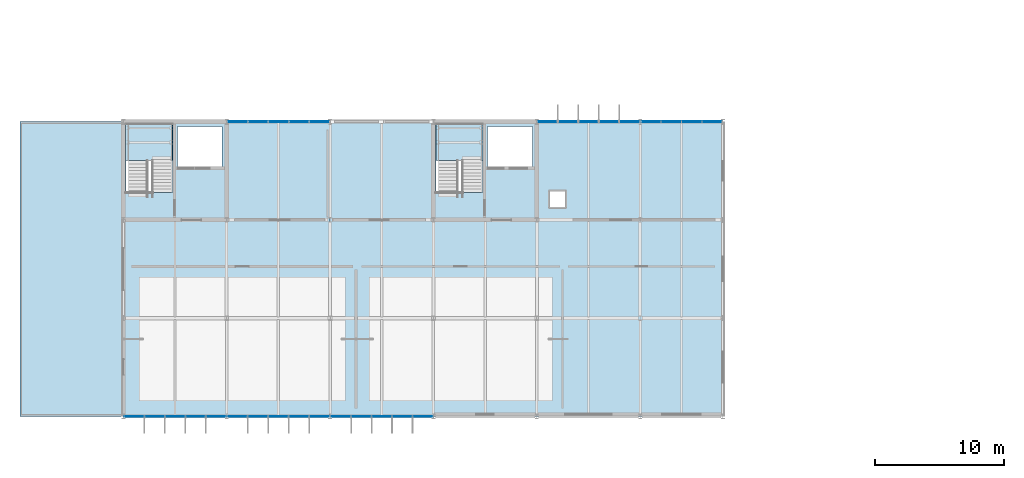
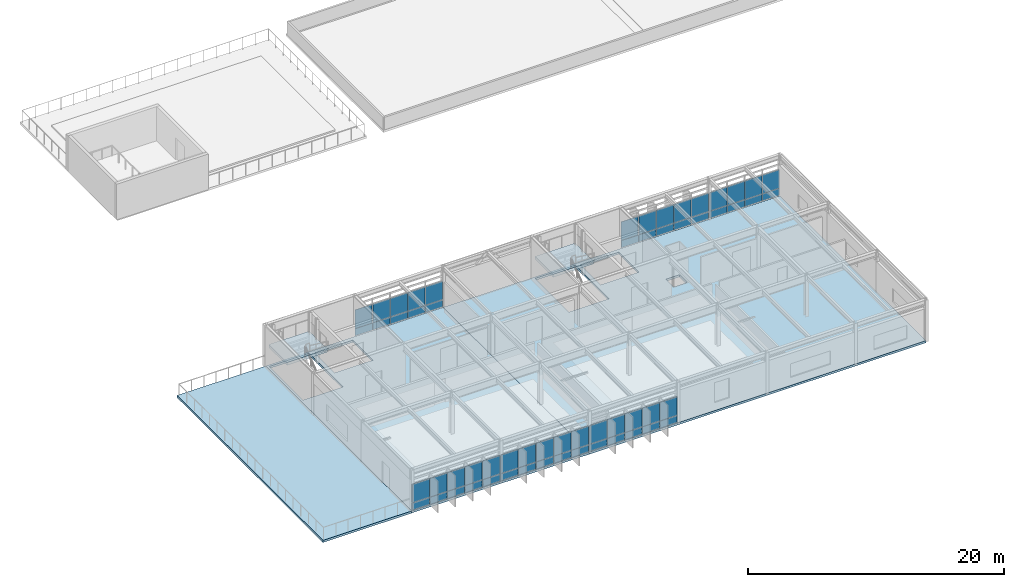
# One storey, part 13 of 21: 58 plates, 5 slabs, 8 elements without a shape of their own.
"""IFC4 building model written with IfcOpenShell, lengths in metres."""

from ifc_helpers import new_model, si_unit, direction, frame, origin, origin_2d, place, context, subcontext, project, spatial, polyline, rectangle, outline, extrude, material, layer, layer_set, type_object, element, aggregate, save


model = new_model("IFC4")

# Units and contexts
model_context = context("Model", 3, precision=1e-05, world=origin(), true_north=direction((0.0, 1.0)))
body_context = subcontext(model_context, "Body", "Model", "MODEL_VIEW")
ifc_project = project(units=[si_unit("LENGTHUNIT", "METRE"), si_unit("AREAUNIT", "SQUARE_METRE"), si_unit("VOLUMEUNIT", "CUBIC_METRE"), si_unit("PLANEANGLEUNIT", "RADIAN"), si_unit("MASSUNIT", "GRAM", prefix="KILO")], contexts=[model_context])

# Site, building, storey
site_placement = place(None, origin())
site = spatial("IfcSite", under=ifc_project, at=site_placement, CompositionType="ELEMENT")
building_placement = place(site_placement, origin())
building = spatial("IfcBuilding", under=site, at=building_placement, Name="Zulena Civic Courthouse", CompositionType="ELEMENT")
storey_placement = place(building_placement, frame((0.0, 0.0, 37.800048828125)))
storey = spatial("IfcBuildingStorey", under=building, at=storey_placement, Name="L08", CompositionType="ELEMENT", Elevation=37.800048828125)

# Curtain wall, plates
ifc_material_1 = material(Name="Double-silver low-E laminated solar-control glass", Category="glass")
curtain_wall_type_1 = type_object("IfcCurtainWallType", Name="CW_7928x3090", PredefinedType="USERDEFINED", material=ifc_material_1)
curtain_wall_1_placement = place(storey_placement, origin())
curtain_wall_1 = element("IfcCurtainWall", 1, at=curtain_wall_1_placement, inside=storey, type_object=curtain_wall_type_1, Name="cw:V2:L08:1:1", ObjectType="UNITISED CURTAIN WALL", PredefinedType="USERDEFINED")
ifc_material_2 = material(Name="Ceramic-fritted insulated spandrel glass", Category="glass")
ifc_layer_1 = layer(ifc_material_2, 0.0458984375)
ifc_layer_set_1 = layer_set([ifc_layer_1], Name="Ceramic-fritted insulated spandrel glass")
plate_type_1 = type_object("IfcPlateType", Name="CWPanel_Spandrel_46", PredefinedType="CURTAIN_PANEL", material=ifc_layer_set_1)
plate_1_placement = place(storey_placement, frame((28.828857421875, 22.800048828125, 0.070068359375), z_axis=(0.0, 0.0, 1.0), x_axis=(1.0, 0.0, 0.0)))
plate_1 = element("IfcPlate", 2, at=plate_1_placement, type_object=plate_type_1, Name="cw:V2:L08:1:1:panS:0", PredefinedType="CURTAIN_PANEL", context=body_context, shape_type="SweptSolid", body=[
    extrude(rectangle(XDim=1.535888671875, YDim=0.0458984375, at=origin_2d()), origin(), (0.0, 0.0, 1.0), 0.669921875),
])
plate_2_placement = place(storey_placement, frame((30.414306640625, 22.800048828125, 0.070068359375), z_axis=(0.0, 0.0, 1.0), x_axis=(1.0, 0.0, 0.0)))
plate_2 = element("IfcPlate", 3, at=plate_2_placement, type_object=plate_type_1, Name="cw:V2:L08:1:1:panS:1", PredefinedType="CURTAIN_PANEL", context=body_context, shape_type="SweptSolid", body=[
    extrude(rectangle(XDim=1.535888671875, YDim=0.0458984375, at=origin_2d()), origin(), (0.0, 0.0, 1.0), 0.669921875),
])
plate_3_placement = place(storey_placement, frame((32.0, 22.800048828125, 0.070068359375), z_axis=(0.0, 0.0, 1.0), x_axis=(1.0, 0.0, 0.0)))
plate_3 = element("IfcPlate", 4, at=plate_3_placement, type_object=plate_type_1, Name="cw:V2:L08:1:1:panS:2", PredefinedType="CURTAIN_PANEL", context=body_context, shape_type="SweptSolid", body=[
    extrude(rectangle(XDim=1.535888671875, YDim=0.0458984375, at=origin_2d()), origin(), (0.0, 0.0, 1.0), 0.669921875),
])
plate_4_placement = place(storey_placement, frame((33.585693359375, 22.800048828125, 0.070068359375), z_axis=(0.0, 0.0, 1.0), x_axis=(1.0, 0.0, 0.0)))
plate_4 = element("IfcPlate", 5, at=plate_4_placement, type_object=plate_type_1, Name="cw:V2:L08:1:1:panS:3", PredefinedType="CURTAIN_PANEL", context=body_context, shape_type="SweptSolid", body=[
    extrude(rectangle(XDim=1.535888671875, YDim=0.0458984375, at=origin_2d()), origin(), (0.0, 0.0, 1.0), 0.669921875),
])
plate_5_placement = place(storey_placement, frame((35.171142578125, 22.800048828125, 0.070068359375), z_axis=(0.0, 0.0, 1.0), x_axis=(1.0, 0.0, 0.0)))
plate_5 = element("IfcPlate", 6, at=plate_5_placement, type_object=plate_type_1, Name="cw:V2:L08:1:1:panS:4", PredefinedType="CURTAIN_PANEL", context=body_context, shape_type="SweptSolid", body=[
    extrude(rectangle(XDim=1.535888671875, YDim=0.0458984375, at=origin_2d()), origin(), (0.0, 0.0, 1.0), 0.669921875),
])

curtain_wall_2_placement = place(storey_placement, origin())
curtain_wall_2 = element("IfcCurtainWall", 7, at=curtain_wall_2_placement, inside=storey, type_object=curtain_wall_type_1, Name="cw:V2:L08:1:4", ObjectType="UNITISED CURTAIN WALL", PredefinedType="USERDEFINED")
plate_6_placement = place(storey_placement, frame((52.828857421875, 22.800048828125, 0.070068359375), z_axis=(0.0, 0.0, 1.0), x_axis=(1.0, 0.0, 0.0)))
plate_6 = element("IfcPlate", 8, at=plate_6_placement, type_object=plate_type_1, Name="cw:V2:L08:1:4:panS:0", PredefinedType="CURTAIN_PANEL", context=body_context, shape_type="SweptSolid", body=[
    extrude(rectangle(XDim=1.535888671875, YDim=0.0458984375, at=origin_2d()), origin(), (0.0, 0.0, 1.0), 0.669921875),
])
plate_7_placement = place(storey_placement, frame((54.414306640625, 22.800048828125, 0.070068359375), z_axis=(0.0, 0.0, 1.0), x_axis=(1.0, 0.0, 0.0)))
plate_7 = element("IfcPlate", 9, at=plate_7_placement, type_object=plate_type_1, Name="cw:V2:L08:1:4:panS:1", PredefinedType="CURTAIN_PANEL", context=body_context, shape_type="SweptSolid", body=[
    extrude(rectangle(XDim=1.535888671875, YDim=0.0458984375, at=origin_2d()), origin(), (0.0, 0.0, 1.0), 0.669921875),
])
plate_8_placement = place(storey_placement, frame((56.0, 22.800048828125, 0.070068359375), z_axis=(0.0, 0.0, 1.0), x_axis=(1.0, 0.0, 0.0)))
plate_8 = element("IfcPlate", 10, at=plate_8_placement, type_object=plate_type_1, Name="cw:V2:L08:1:4:panS:2", PredefinedType="CURTAIN_PANEL", context=body_context, shape_type="SweptSolid", body=[
    extrude(rectangle(XDim=1.535888671875, YDim=0.0458984375, at=origin_2d()), origin(), (0.0, 0.0, 1.0), 0.669921875),
])
plate_9_placement = place(storey_placement, frame((57.585693359375, 22.800048828125, 0.070068359375), z_axis=(0.0, 0.0, 1.0), x_axis=(1.0, 0.0, 0.0)))
plate_9 = element("IfcPlate", 11, at=plate_9_placement, type_object=plate_type_1, Name="cw:V2:L08:1:4:panS:3", PredefinedType="CURTAIN_PANEL", context=body_context, shape_type="SweptSolid", body=[
    extrude(rectangle(XDim=1.535888671875, YDim=0.0458984375, at=origin_2d()), origin(), (0.0, 0.0, 1.0), 0.669921875),
])
plate_10_placement = place(storey_placement, frame((59.171142578125, 22.800048828125, 0.070068359375), z_axis=(0.0, 0.0, 1.0), x_axis=(1.0, 0.0, 0.0)))
plate_10 = element("IfcPlate", 12, at=plate_10_placement, type_object=plate_type_1, Name="cw:V2:L08:1:4:panS:4", PredefinedType="CURTAIN_PANEL", context=body_context, shape_type="SweptSolid", body=[
    extrude(rectangle(XDim=1.535888671875, YDim=0.0458984375, at=origin_2d()), origin(), (0.0, 0.0, 1.0), 0.669921875),
])

curtain_wall_type_2 = type_object("IfcCurtainWallType", Name="CW_6328x3090", PredefinedType="USERDEFINED", material=ifc_material_1)
curtain_wall_3_placement = place(storey_placement, origin())
curtain_wall_3 = element("IfcCurtainWall", 13, at=curtain_wall_3_placement, inside=storey, type_object=curtain_wall_type_2, Name="cw:V2:L08:1:5", ObjectType="UNITISED CURTAIN WALL", PredefinedType="USERDEFINED")
plate_11_placement = place(storey_placement, frame((60.826904296875, 22.800048828125, 0.070068359375), z_axis=(0.0, 0.0, 1.0), x_axis=(1.0, 0.0, 0.0)))
plate_11 = element("IfcPlate", 14, at=plate_11_placement, type_object=plate_type_1, Name="cw:V2:L08:1:5:panS:0", PredefinedType="CURTAIN_PANEL", context=body_context, shape_type="SweptSolid", body=[
    extrude(rectangle(XDim=1.531982421875, YDim=0.0458984375, at=origin_2d()), origin(), (0.0, 0.0, 1.0), 0.669921875),
])
plate_12_placement = place(storey_placement, frame((62.408935546875, 22.800048828125, 0.070068359375), z_axis=(0.0, 0.0, 1.0), x_axis=(1.0, 0.0, 0.0)))
plate_12 = element("IfcPlate", 15, at=plate_12_placement, type_object=plate_type_1, Name="cw:V2:L08:1:5:panS:1", PredefinedType="CURTAIN_PANEL", context=body_context, shape_type="SweptSolid", body=[
    extrude(rectangle(XDim=1.531982421875, YDim=0.0458984375, at=origin_2d()), origin(), (0.0, 0.0, 1.0), 0.669921875),
])
plate_13_placement = place(storey_placement, frame((63.990966796875, 22.800048828125, 0.070068359375), z_axis=(0.0, 0.0, 1.0), x_axis=(1.0, 0.0, 0.0)))
plate_13 = element("IfcPlate", 16, at=plate_13_placement, type_object=plate_type_1, Name="cw:V2:L08:1:5:panS:2", PredefinedType="CURTAIN_PANEL", context=body_context, shape_type="SweptSolid", body=[
    extrude(rectangle(XDim=1.531982421875, YDim=0.0458984375, at=origin_2d()), origin(), (0.0, 0.0, 1.0), 0.669921875),
])
plate_14_placement = place(storey_placement, frame((65.572998046875, 22.800048828125, 0.070068359375), z_axis=(0.0, 0.0, 1.0), x_axis=(1.0, 0.0, 0.0)))
plate_14 = element("IfcPlate", 17, at=plate_14_placement, type_object=plate_type_1, Name="cw:V2:L08:1:5:panS:3", PredefinedType="CURTAIN_PANEL", context=body_context, shape_type="SweptSolid", body=[
    extrude(rectangle(XDim=1.531982421875, YDim=0.0458984375, at=origin_2d()), origin(), (0.0, 0.0, 1.0), 0.669921875),
])

curtain_wall_4_placement = place(storey_placement, origin())
curtain_wall_4 = element("IfcCurtainWall", 18, at=curtain_wall_4_placement, inside=storey, type_object=curtain_wall_type_1, Name="cw:V2:L08:3:3", ObjectType="UNITISED CURTAIN WALL", PredefinedType="USERDEFINED")
plate_15_placement = place(storey_placement, frame((43.171142578125, 0.0, 0.070068359375), z_axis=(0.0, 0.0, 1.0), x_axis=(-1.0, 0.0, 0.0)))
plate_15 = element("IfcPlate", 19, at=plate_15_placement, type_object=plate_type_1, Name="cw:V2:L08:3:3:panS:0", PredefinedType="CURTAIN_PANEL", context=body_context, shape_type="SweptSolid", body=[
    extrude(rectangle(XDim=1.535888671875, YDim=0.0458984375, at=origin_2d()), origin(), (0.0, 0.0, 1.0), 0.669921875),
])
plate_16_placement = place(storey_placement, frame((41.585693359375, 0.0, 0.070068359375), z_axis=(0.0, 0.0, 1.0), x_axis=(-1.0, 0.0, 0.0)))
plate_16 = element("IfcPlate", 20, at=plate_16_placement, type_object=plate_type_1, Name="cw:V2:L08:3:3:panS:1", PredefinedType="CURTAIN_PANEL", context=body_context, shape_type="SweptSolid", body=[
    extrude(rectangle(XDim=1.535888671875, YDim=0.0458984375, at=origin_2d()), origin(), (0.0, 0.0, 1.0), 0.669921875),
])
plate_17_placement = place(storey_placement, frame((40.0, 0.0, 0.070068359375), z_axis=(0.0, 0.0, 1.0), x_axis=(-1.0, 0.0, 0.0)))
plate_17 = element("IfcPlate", 21, at=plate_17_placement, type_object=plate_type_1, Name="cw:V2:L08:3:3:panS:2", PredefinedType="CURTAIN_PANEL", context=body_context, shape_type="SweptSolid", body=[
    extrude(rectangle(XDim=1.535888671875, YDim=0.0458984375, at=origin_2d()), origin(), (0.0, 0.0, 1.0), 0.669921875),
])
plate_18_placement = place(storey_placement, frame((38.414306640625, 0.0, 0.070068359375), z_axis=(0.0, 0.0, 1.0), x_axis=(-1.0, 0.0, 0.0)))
plate_18 = element("IfcPlate", 22, at=plate_18_placement, type_object=plate_type_1, Name="cw:V2:L08:3:3:panS:3", PredefinedType="CURTAIN_PANEL", context=body_context, shape_type="SweptSolid", body=[
    extrude(rectangle(XDim=1.535888671875, YDim=0.0458984375, at=origin_2d()), origin(), (0.0, 0.0, 1.0), 0.669921875),
])
plate_19_placement = place(storey_placement, frame((36.828857421875, 0.0, 0.070068359375), z_axis=(0.0, 0.0, 1.0), x_axis=(-1.0, 0.0, 0.0)))
plate_19 = element("IfcPlate", 23, at=plate_19_placement, type_object=plate_type_1, Name="cw:V2:L08:3:3:panS:4", PredefinedType="CURTAIN_PANEL", context=body_context, shape_type="SweptSolid", body=[
    extrude(rectangle(XDim=1.535888671875, YDim=0.0458984375, at=origin_2d()), origin(), (0.0, 0.0, 1.0), 0.669921875),
])

curtain_wall_5_placement = place(storey_placement, origin())
curtain_wall_5 = element("IfcCurtainWall", 24, at=curtain_wall_5_placement, inside=storey, type_object=curtain_wall_type_1, Name="cw:V2:L08:3:4", ObjectType="UNITISED CURTAIN WALL", PredefinedType="USERDEFINED")
plate_20_placement = place(storey_placement, frame((35.171142578125, 0.0, 0.070068359375), z_axis=(0.0, 0.0, 1.0), x_axis=(-1.0, 0.0, 0.0)))
plate_20 = element("IfcPlate", 25, at=plate_20_placement, type_object=plate_type_1, Name="cw:V2:L08:3:4:panS:0", PredefinedType="CURTAIN_PANEL", context=body_context, shape_type="SweptSolid", body=[
    extrude(rectangle(XDim=1.535888671875, YDim=0.0458984375, at=origin_2d()), origin(), (0.0, 0.0, 1.0), 0.669921875),
])
plate_21_placement = place(storey_placement, frame((33.585693359375, 0.0, 0.070068359375), z_axis=(0.0, 0.0, 1.0), x_axis=(-1.0, 0.0, 0.0)))
plate_21 = element("IfcPlate", 26, at=plate_21_placement, type_object=plate_type_1, Name="cw:V2:L08:3:4:panS:1", PredefinedType="CURTAIN_PANEL", context=body_context, shape_type="SweptSolid", body=[
    extrude(rectangle(XDim=1.535888671875, YDim=0.0458984375, at=origin_2d()), origin(), (0.0, 0.0, 1.0), 0.669921875),
])
plate_22_placement = place(storey_placement, frame((32.0, 0.0, 0.070068359375), z_axis=(0.0, 0.0, 1.0), x_axis=(-1.0, 0.0, 0.0)))
plate_22 = element("IfcPlate", 27, at=plate_22_placement, type_object=plate_type_1, Name="cw:V2:L08:3:4:panS:2", PredefinedType="CURTAIN_PANEL", context=body_context, shape_type="SweptSolid", body=[
    extrude(rectangle(XDim=1.535888671875, YDim=0.0458984375, at=origin_2d()), origin(), (0.0, 0.0, 1.0), 0.669921875),
])
plate_23_placement = place(storey_placement, frame((30.414306640625, 0.0, 0.070068359375), z_axis=(0.0, 0.0, 1.0), x_axis=(-1.0, 0.0, 0.0)))
plate_23 = element("IfcPlate", 28, at=plate_23_placement, type_object=plate_type_1, Name="cw:V2:L08:3:4:panS:3", PredefinedType="CURTAIN_PANEL", context=body_context, shape_type="SweptSolid", body=[
    extrude(rectangle(XDim=1.535888671875, YDim=0.0458984375, at=origin_2d()), origin(), (0.0, 0.0, 1.0), 0.669921875),
])
plate_24_placement = place(storey_placement, frame((28.828857421875, 0.0, 0.070068359375), z_axis=(0.0, 0.0, 1.0), x_axis=(-1.0, 0.0, 0.0)))
plate_24 = element("IfcPlate", 29, at=plate_24_placement, type_object=plate_type_1, Name="cw:V2:L08:3:4:panS:4", PredefinedType="CURTAIN_PANEL", context=body_context, shape_type="SweptSolid", body=[
    extrude(rectangle(XDim=1.535888671875, YDim=0.0458984375, at=origin_2d()), origin(), (0.0, 0.0, 1.0), 0.669921875),
])

curtain_wall_6_placement = place(storey_placement, origin())
curtain_wall_6 = element("IfcCurtainWall", 30, at=curtain_wall_6_placement, inside=storey, type_object=curtain_wall_type_1, Name="cw:V2:L08:3:5", ObjectType="UNITISED CURTAIN WALL", PredefinedType="USERDEFINED")
plate_25_placement = place(storey_placement, frame((27.171142578125, 0.0, 0.070068359375), z_axis=(0.0, 0.0, 1.0), x_axis=(-1.0, 0.0, 0.0)))
plate_25 = element("IfcPlate", 31, at=plate_25_placement, type_object=plate_type_1, Name="cw:V2:L08:3:5:panS:0", PredefinedType="CURTAIN_PANEL", context=body_context, shape_type="SweptSolid", body=[
    extrude(rectangle(XDim=1.535888671875, YDim=0.0458984375, at=origin_2d()), origin(), (0.0, 0.0, 1.0), 0.669921875),
])
plate_26_placement = place(storey_placement, frame((25.585693359375, 0.0, 0.070068359375), z_axis=(0.0, 0.0, 1.0), x_axis=(-1.0, 0.0, 0.0)))
plate_26 = element("IfcPlate", 32, at=plate_26_placement, type_object=plate_type_1, Name="cw:V2:L08:3:5:panS:1", PredefinedType="CURTAIN_PANEL", context=body_context, shape_type="SweptSolid", body=[
    extrude(rectangle(XDim=1.535888671875, YDim=0.0458984375, at=origin_2d()), origin(), (0.0, 0.0, 1.0), 0.669921875),
])
plate_27_placement = place(storey_placement, frame((24.0, 0.0, 0.070068359375), z_axis=(0.0, 0.0, 1.0), x_axis=(-1.0, 0.0, 0.0)))
plate_27 = element("IfcPlate", 33, at=plate_27_placement, type_object=plate_type_1, Name="cw:V2:L08:3:5:panS:2", PredefinedType="CURTAIN_PANEL", context=body_context, shape_type="SweptSolid", body=[
    extrude(rectangle(XDim=1.535888671875, YDim=0.0458984375, at=origin_2d()), origin(), (0.0, 0.0, 1.0), 0.669921875),
])
plate_28_placement = place(storey_placement, frame((22.414306640625, 0.0, 0.070068359375), z_axis=(0.0, 0.0, 1.0), x_axis=(-1.0, 0.0, 0.0)))
plate_28 = element("IfcPlate", 34, at=plate_28_placement, type_object=plate_type_1, Name="cw:V2:L08:3:5:panS:3", PredefinedType="CURTAIN_PANEL", context=body_context, shape_type="SweptSolid", body=[
    extrude(rectangle(XDim=1.535888671875, YDim=0.0458984375, at=origin_2d()), origin(), (0.0, 0.0, 1.0), 0.669921875),
])
plate_29_placement = place(storey_placement, frame((20.828857421875, 0.0, 0.070068359375), z_axis=(0.0, 0.0, 1.0), x_axis=(-1.0, 0.0, 0.0)))
plate_29 = element("IfcPlate", 35, at=plate_29_placement, type_object=plate_type_1, Name="cw:V2:L08:3:5:panS:4", PredefinedType="CURTAIN_PANEL", context=body_context, shape_type="SweptSolid", body=[
    extrude(rectangle(XDim=1.535888671875, YDim=0.0458984375, at=origin_2d()), origin(), (0.0, 0.0, 1.0), 0.669921875),
])

# Plate
ifc_layer_2 = layer(ifc_material_1, 0.035888671875)
ifc_layer_set_2 = layer_set([ifc_layer_2], Name="Double-silver low-E laminated solar-control glass")
plate_type_2 = type_object("IfcPlateType", Name="CWPanel_Vision_36", PredefinedType="CURTAIN_PANEL", material=ifc_layer_set_2)
plate_30_placement = place(storey_placement, frame((28.828857421875, 22.800048828125, 0.760009765625), z_axis=(0.0, 0.0, 1.0), x_axis=(1.0, 0.0, 0.0)))
plate_30 = element("IfcPlate", 36, at=plate_30_placement, type_object=plate_type_2, Name="cw:V2:L08:1:1:panV:0", PredefinedType="CURTAIN_PANEL", context=body_context, shape_type="SweptSolid", body=[
    extrude(rectangle(XDim=1.535888671875, YDim=0.035888671875, at=origin_2d()), origin(), (0.0, 0.0, 1.0), 1.77001953125),
])

plate_31_placement = place(storey_placement, frame((30.414306640625, 22.800048828125, 0.760009765625), z_axis=(0.0, 0.0, 1.0), x_axis=(1.0, 0.0, 0.0)))
plate_31 = element("IfcPlate", 37, at=plate_31_placement, type_object=plate_type_2, Name="cw:V2:L08:1:1:panV:1", PredefinedType="CURTAIN_PANEL", context=body_context, shape_type="SweptSolid", body=[
    extrude(rectangle(XDim=1.535888671875, YDim=0.035888671875, at=origin_2d()), origin(), (0.0, 0.0, 1.0), 1.77001953125),
])

plate_32_placement = place(storey_placement, frame((32.0, 22.800048828125, 0.760009765625), z_axis=(0.0, 0.0, 1.0), x_axis=(1.0, 0.0, 0.0)))
plate_32 = element("IfcPlate", 38, at=plate_32_placement, type_object=plate_type_2, Name="cw:V2:L08:1:1:panV:2", PredefinedType="CURTAIN_PANEL", context=body_context, shape_type="SweptSolid", body=[
    extrude(rectangle(XDim=1.535888671875, YDim=0.035888671875, at=origin_2d()), origin(), (0.0, 0.0, 1.0), 1.77001953125),
])

plate_33_placement = place(storey_placement, frame((33.585693359375, 22.800048828125, 0.760009765625), z_axis=(0.0, 0.0, 1.0), x_axis=(1.0, 0.0, 0.0)))
plate_33 = element("IfcPlate", 39, at=plate_33_placement, type_object=plate_type_2, Name="cw:V2:L08:1:1:panV:3", PredefinedType="CURTAIN_PANEL", context=body_context, shape_type="SweptSolid", body=[
    extrude(rectangle(XDim=1.535888671875, YDim=0.035888671875, at=origin_2d()), origin(), (0.0, 0.0, 1.0), 1.77001953125),
])

plate_34_placement = place(storey_placement, frame((35.171142578125, 22.800048828125, 0.760009765625), z_axis=(0.0, 0.0, 1.0), x_axis=(1.0, 0.0, 0.0)))
plate_34 = element("IfcPlate", 40, at=plate_34_placement, type_object=plate_type_2, Name="cw:V2:L08:1:1:panV:4", PredefinedType="CURTAIN_PANEL", context=body_context, shape_type="SweptSolid", body=[
    extrude(rectangle(XDim=1.535888671875, YDim=0.035888671875, at=origin_2d()), origin(), (0.0, 0.0, 1.0), 1.77001953125),
])

aggregate(curtain_wall_1, [plate_30, plate_1, plate_31, plate_2, plate_32, plate_3, plate_33, plate_4, plate_34, plate_5])

plate_35_placement = place(storey_placement, frame((52.828857421875, 22.800048828125, 0.760009765625), z_axis=(0.0, 0.0, 1.0), x_axis=(1.0, 0.0, 0.0)))
plate_35 = element("IfcPlate", 41, at=plate_35_placement, type_object=plate_type_2, Name="cw:V2:L08:1:4:panV:0", PredefinedType="CURTAIN_PANEL", context=body_context, shape_type="SweptSolid", body=[
    extrude(rectangle(XDim=1.535888671875, YDim=0.035888671875, at=origin_2d()), origin(), (0.0, 0.0, 1.0), 1.77001953125),
])

plate_36_placement = place(storey_placement, frame((54.414306640625, 22.800048828125, 0.760009765625), z_axis=(0.0, 0.0, 1.0), x_axis=(1.0, 0.0, 0.0)))
plate_36 = element("IfcPlate", 42, at=plate_36_placement, type_object=plate_type_2, Name="cw:V2:L08:1:4:panV:1", PredefinedType="CURTAIN_PANEL", context=body_context, shape_type="SweptSolid", body=[
    extrude(rectangle(XDim=1.535888671875, YDim=0.035888671875, at=origin_2d()), origin(), (0.0, 0.0, 1.0), 1.77001953125),
])

plate_37_placement = place(storey_placement, frame((56.0, 22.800048828125, 0.760009765625), z_axis=(0.0, 0.0, 1.0), x_axis=(1.0, 0.0, 0.0)))
plate_37 = element("IfcPlate", 43, at=plate_37_placement, type_object=plate_type_2, Name="cw:V2:L08:1:4:panV:2", PredefinedType="CURTAIN_PANEL", context=body_context, shape_type="SweptSolid", body=[
    extrude(rectangle(XDim=1.535888671875, YDim=0.035888671875, at=origin_2d()), origin(), (0.0, 0.0, 1.0), 1.77001953125),
])

plate_38_placement = place(storey_placement, frame((57.585693359375, 22.800048828125, 0.760009765625), z_axis=(0.0, 0.0, 1.0), x_axis=(1.0, 0.0, 0.0)))
plate_38 = element("IfcPlate", 44, at=plate_38_placement, type_object=plate_type_2, Name="cw:V2:L08:1:4:panV:3", PredefinedType="CURTAIN_PANEL", context=body_context, shape_type="SweptSolid", body=[
    extrude(rectangle(XDim=1.535888671875, YDim=0.035888671875, at=origin_2d()), origin(), (0.0, 0.0, 1.0), 1.77001953125),
])

plate_39_placement = place(storey_placement, frame((59.171142578125, 22.800048828125, 0.760009765625), z_axis=(0.0, 0.0, 1.0), x_axis=(1.0, 0.0, 0.0)))
plate_39 = element("IfcPlate", 45, at=plate_39_placement, type_object=plate_type_2, Name="cw:V2:L08:1:4:panV:4", PredefinedType="CURTAIN_PANEL", context=body_context, shape_type="SweptSolid", body=[
    extrude(rectangle(XDim=1.535888671875, YDim=0.035888671875, at=origin_2d()), origin(), (0.0, 0.0, 1.0), 1.77001953125),
])

aggregate(curtain_wall_2, [plate_35, plate_6, plate_36, plate_7, plate_37, plate_8, plate_38, plate_9, plate_39, plate_10])

plate_40_placement = place(storey_placement, frame((60.826904296875, 22.800048828125, 0.760009765625), z_axis=(0.0, 0.0, 1.0), x_axis=(1.0, 0.0, 0.0)))
plate_40 = element("IfcPlate", 46, at=plate_40_placement, type_object=plate_type_2, Name="cw:V2:L08:1:5:panV:0", PredefinedType="CURTAIN_PANEL", context=body_context, shape_type="SweptSolid", body=[
    extrude(rectangle(XDim=1.531982421875, YDim=0.035888671875, at=origin_2d()), origin(), (0.0, 0.0, 1.0), 1.77001953125),
])

plate_41_placement = place(storey_placement, frame((62.408935546875, 22.800048828125, 0.760009765625), z_axis=(0.0, 0.0, 1.0), x_axis=(1.0, 0.0, 0.0)))
plate_41 = element("IfcPlate", 47, at=plate_41_placement, type_object=plate_type_2, Name="cw:V2:L08:1:5:panV:1", PredefinedType="CURTAIN_PANEL", context=body_context, shape_type="SweptSolid", body=[
    extrude(rectangle(XDim=1.531982421875, YDim=0.035888671875, at=origin_2d()), origin(), (0.0, 0.0, 1.0), 1.77001953125),
])

plate_42_placement = place(storey_placement, frame((63.990966796875, 22.800048828125, 0.760009765625), z_axis=(0.0, 0.0, 1.0), x_axis=(1.0, 0.0, 0.0)))
plate_42 = element("IfcPlate", 48, at=plate_42_placement, type_object=plate_type_2, Name="cw:V2:L08:1:5:panV:2", PredefinedType="CURTAIN_PANEL", context=body_context, shape_type="SweptSolid", body=[
    extrude(rectangle(XDim=1.531982421875, YDim=0.035888671875, at=origin_2d()), origin(), (0.0, 0.0, 1.0), 1.77001953125),
])

plate_43_placement = place(storey_placement, frame((65.572998046875, 22.800048828125, 0.760009765625), z_axis=(0.0, 0.0, 1.0), x_axis=(1.0, 0.0, 0.0)))
plate_43 = element("IfcPlate", 49, at=plate_43_placement, type_object=plate_type_2, Name="cw:V2:L08:1:5:panV:3", PredefinedType="CURTAIN_PANEL", context=body_context, shape_type="SweptSolid", body=[
    extrude(rectangle(XDim=1.531982421875, YDim=0.035888671875, at=origin_2d()), origin(), (0.0, 0.0, 1.0), 1.77001953125),
])

aggregate(curtain_wall_3, [plate_40, plate_11, plate_41, plate_12, plate_42, plate_13, plate_43, plate_14])

plate_44_placement = place(storey_placement, frame((43.171142578125, 0.0, 0.760009765625), z_axis=(0.0, 0.0, 1.0), x_axis=(-1.0, 0.0, 0.0)))
plate_44 = element("IfcPlate", 50, at=plate_44_placement, type_object=plate_type_2, Name="cw:V2:L08:3:3:panV:0", PredefinedType="CURTAIN_PANEL", context=body_context, shape_type="SweptSolid", body=[
    extrude(rectangle(XDim=1.535888671875, YDim=0.035888671875, at=origin_2d()), origin(), (0.0, 0.0, 1.0), 1.77001953125),
])

plate_45_placement = place(storey_placement, frame((41.585693359375, 0.0, 0.760009765625), z_axis=(0.0, 0.0, 1.0), x_axis=(-1.0, 0.0, 0.0)))
plate_45 = element("IfcPlate", 51, at=plate_45_placement, type_object=plate_type_2, Name="cw:V2:L08:3:3:panV:1", PredefinedType="CURTAIN_PANEL", context=body_context, shape_type="SweptSolid", body=[
    extrude(rectangle(XDim=1.535888671875, YDim=0.035888671875, at=origin_2d()), origin(), (0.0, 0.0, 1.0), 1.77001953125),
])

plate_46_placement = place(storey_placement, frame((40.0, 0.0, 0.760009765625), z_axis=(0.0, 0.0, 1.0), x_axis=(-1.0, 0.0, 0.0)))
plate_46 = element("IfcPlate", 52, at=plate_46_placement, type_object=plate_type_2, Name="cw:V2:L08:3:3:panV:2", PredefinedType="CURTAIN_PANEL", context=body_context, shape_type="SweptSolid", body=[
    extrude(rectangle(XDim=1.535888671875, YDim=0.035888671875, at=origin_2d()), origin(), (0.0, 0.0, 1.0), 1.77001953125),
])

plate_47_placement = place(storey_placement, frame((38.414306640625, 0.0, 0.760009765625), z_axis=(0.0, 0.0, 1.0), x_axis=(-1.0, 0.0, 0.0)))
plate_47 = element("IfcPlate", 53, at=plate_47_placement, type_object=plate_type_2, Name="cw:V2:L08:3:3:panV:3", PredefinedType="CURTAIN_PANEL", context=body_context, shape_type="SweptSolid", body=[
    extrude(rectangle(XDim=1.535888671875, YDim=0.035888671875, at=origin_2d()), origin(), (0.0, 0.0, 1.0), 1.77001953125),
])

plate_48_placement = place(storey_placement, frame((36.828857421875, 0.0, 0.760009765625), z_axis=(0.0, 0.0, 1.0), x_axis=(-1.0, 0.0, 0.0)))
plate_48 = element("IfcPlate", 54, at=plate_48_placement, type_object=plate_type_2, Name="cw:V2:L08:3:3:panV:4", PredefinedType="CURTAIN_PANEL", context=body_context, shape_type="SweptSolid", body=[
    extrude(rectangle(XDim=1.535888671875, YDim=0.035888671875, at=origin_2d()), origin(), (0.0, 0.0, 1.0), 1.77001953125),
])

aggregate(curtain_wall_4, [plate_44, plate_15, plate_45, plate_16, plate_46, plate_17, plate_47, plate_18, plate_48, plate_19])

plate_49_placement = place(storey_placement, frame((35.171142578125, 0.0, 0.760009765625), z_axis=(0.0, 0.0, 1.0), x_axis=(-1.0, 0.0, 0.0)))
plate_49 = element("IfcPlate", 55, at=plate_49_placement, type_object=plate_type_2, Name="cw:V2:L08:3:4:panV:0", PredefinedType="CURTAIN_PANEL", context=body_context, shape_type="SweptSolid", body=[
    extrude(rectangle(XDim=1.535888671875, YDim=0.035888671875, at=origin_2d()), origin(), (0.0, 0.0, 1.0), 1.77001953125),
])

plate_50_placement = place(storey_placement, frame((33.585693359375, 0.0, 0.760009765625), z_axis=(0.0, 0.0, 1.0), x_axis=(-1.0, 0.0, 0.0)))
plate_50 = element("IfcPlate", 56, at=plate_50_placement, type_object=plate_type_2, Name="cw:V2:L08:3:4:panV:1", PredefinedType="CURTAIN_PANEL", context=body_context, shape_type="SweptSolid", body=[
    extrude(rectangle(XDim=1.535888671875, YDim=0.035888671875, at=origin_2d()), origin(), (0.0, 0.0, 1.0), 1.77001953125),
])

plate_51_placement = place(storey_placement, frame((32.0, 0.0, 0.760009765625), z_axis=(0.0, 0.0, 1.0), x_axis=(-1.0, 0.0, 0.0)))
plate_51 = element("IfcPlate", 57, at=plate_51_placement, type_object=plate_type_2, Name="cw:V2:L08:3:4:panV:2", PredefinedType="CURTAIN_PANEL", context=body_context, shape_type="SweptSolid", body=[
    extrude(rectangle(XDim=1.535888671875, YDim=0.035888671875, at=origin_2d()), origin(), (0.0, 0.0, 1.0), 1.77001953125),
])

plate_52_placement = place(storey_placement, frame((30.414306640625, 0.0, 0.760009765625), z_axis=(0.0, 0.0, 1.0), x_axis=(-1.0, 0.0, 0.0)))
plate_52 = element("IfcPlate", 58, at=plate_52_placement, type_object=plate_type_2, Name="cw:V2:L08:3:4:panV:3", PredefinedType="CURTAIN_PANEL", context=body_context, shape_type="SweptSolid", body=[
    extrude(rectangle(XDim=1.535888671875, YDim=0.035888671875, at=origin_2d()), origin(), (0.0, 0.0, 1.0), 1.77001953125),
])

plate_53_placement = place(storey_placement, frame((28.828857421875, 0.0, 0.760009765625), z_axis=(0.0, 0.0, 1.0), x_axis=(-1.0, 0.0, 0.0)))
plate_53 = element("IfcPlate", 59, at=plate_53_placement, type_object=plate_type_2, Name="cw:V2:L08:3:4:panV:4", PredefinedType="CURTAIN_PANEL", context=body_context, shape_type="SweptSolid", body=[
    extrude(rectangle(XDim=1.535888671875, YDim=0.035888671875, at=origin_2d()), origin(), (0.0, 0.0, 1.0), 1.77001953125),
])

aggregate(curtain_wall_5, [plate_49, plate_20, plate_50, plate_21, plate_51, plate_22, plate_52, plate_23, plate_53, plate_24])

plate_54_placement = place(storey_placement, frame((27.171142578125, 0.0, 0.760009765625), z_axis=(0.0, 0.0, 1.0), x_axis=(-1.0, 0.0, 0.0)))
plate_54 = element("IfcPlate", 60, at=plate_54_placement, type_object=plate_type_2, Name="cw:V2:L08:3:5:panV:0", PredefinedType="CURTAIN_PANEL", context=body_context, shape_type="SweptSolid", body=[
    extrude(rectangle(XDim=1.535888671875, YDim=0.035888671875, at=origin_2d()), origin(), (0.0, 0.0, 1.0), 1.77001953125),
])

plate_55_placement = place(storey_placement, frame((25.585693359375, 0.0, 0.760009765625), z_axis=(0.0, 0.0, 1.0), x_axis=(-1.0, 0.0, 0.0)))
plate_55 = element("IfcPlate", 61, at=plate_55_placement, type_object=plate_type_2, Name="cw:V2:L08:3:5:panV:1", PredefinedType="CURTAIN_PANEL", context=body_context, shape_type="SweptSolid", body=[
    extrude(rectangle(XDim=1.535888671875, YDim=0.035888671875, at=origin_2d()), origin(), (0.0, 0.0, 1.0), 1.77001953125),
])

plate_56_placement = place(storey_placement, frame((24.0, 0.0, 0.760009765625), z_axis=(0.0, 0.0, 1.0), x_axis=(-1.0, 0.0, 0.0)))
plate_56 = element("IfcPlate", 62, at=plate_56_placement, type_object=plate_type_2, Name="cw:V2:L08:3:5:panV:2", PredefinedType="CURTAIN_PANEL", context=body_context, shape_type="SweptSolid", body=[
    extrude(rectangle(XDim=1.535888671875, YDim=0.035888671875, at=origin_2d()), origin(), (0.0, 0.0, 1.0), 1.77001953125),
])

plate_57_placement = place(storey_placement, frame((22.414306640625, 0.0, 0.760009765625), z_axis=(0.0, 0.0, 1.0), x_axis=(-1.0, 0.0, 0.0)))
plate_57 = element("IfcPlate", 63, at=plate_57_placement, type_object=plate_type_2, Name="cw:V2:L08:3:5:panV:3", PredefinedType="CURTAIN_PANEL", context=body_context, shape_type="SweptSolid", body=[
    extrude(rectangle(XDim=1.535888671875, YDim=0.035888671875, at=origin_2d()), origin(), (0.0, 0.0, 1.0), 1.77001953125),
])

plate_58_placement = place(storey_placement, frame((20.828857421875, 0.0, 0.760009765625), z_axis=(0.0, 0.0, 1.0), x_axis=(-1.0, 0.0, 0.0)))
plate_58 = element("IfcPlate", 64, at=plate_58_placement, type_object=plate_type_2, Name="cw:V2:L08:3:5:panV:4", PredefinedType="CURTAIN_PANEL", context=body_context, shape_type="SweptSolid", body=[
    extrude(rectangle(XDim=1.535888671875, YDim=0.035888671875, at=origin_2d()), origin(), (0.0, 0.0, 1.0), 1.77001953125),
])

aggregate(curtain_wall_6, [plate_54, plate_25, plate_55, plate_26, plate_56, plate_27, plate_57, plate_28, plate_58, plate_29])

# Slabs
ifc_material_3 = material(Name="Concrete C35/45", Category="concrete")
ifc_layer_3 = layer(ifc_material_3, 0.199951171875)
ifc_layer_set_3 = layer_set([ifc_layer_3], Name="Concrete C35/45")
slab_type_1 = type_object("IfcSlabType", Name="FloorSlab_200", PredefinedType="FLOOR", material=ifc_layer_set_3)
slab_1_placement = place(storey_placement, frame((0.0, 0.0, -0.199951171875)))
element("IfcSlab", 65, at=slab_1_placement, inside=storey, type_object=slab_type_1, Name="slab:V2:L08_1", PredefinedType="FLOOR", context=body_context, shape_type="SweptSolid", body=[
    extrude(outline(polyline([(36.0, 22.800048828125), (36.0, 0.0), (20.0, 0.0), (20.0, 22.800048828125), (36.0, 22.800048828125)]), holes=[polyline([(23.81005859375, 22.610107421875), (20.18994140625, 22.610107421875), (20.18994140625, 17.320068359375), (23.81005859375, 17.320068359375), (23.81005859375, 22.610107421875)]), polyline([(27.64990234375, 19.300048828125), (27.64990234375, 22.449951171875), (24.199951171875, 22.449951171875), (24.199951171875, 19.300048828125), (27.64990234375, 19.300048828125)])]), origin(), (0.0, 0.0, 1.0), 0.199951171875),
])
slab_2_placement = place(storey_placement, frame((0.0, 0.0, -0.199951171875)))
element("IfcSlab", 66, at=slab_2_placement, inside=storey, type_object=slab_type_1, Name="slab:V2:L08_2", PredefinedType="FLOOR", context=body_context, shape_type="SweptSolid", body=[
    extrude(outline(polyline([(66.39990234375, 22.800048828125), (66.39990234375, 0.0), (36.0, 0.0), (36.0, 22.800048828125), (66.39990234375, 22.800048828125)]), holes=[polyline([(44.18994140625, 17.320068359375), (47.81005859375, 17.320068359375), (47.81005859375, 22.610107421875), (44.18994140625, 22.610107421875), (44.18994140625, 17.320068359375)]), polyline([(48.199951171875, 22.449951171875), (48.199951171875, 19.300048828125), (51.64990234375, 19.300048828125), (51.64990234375, 22.449951171875), (48.199951171875, 22.449951171875)]), polyline([(54.199951171875, 17.39990234375), (53.0, 17.39990234375), (53.0, 16.199951171875), (54.199951171875, 16.199951171875), (54.199951171875, 17.39990234375)])]), origin(), (0.0, 0.0, 1.0), 0.199951171875),
])

# Stair, slab
ifc_material_4 = material(Name="Precast concrete C40/50", Category="concrete")
stair_type = type_object("IfcStairType", Name="HalfTurnStair_4200", PredefinedType="HALF_TURN_STAIR", material=ifc_material_4)
stair_1_placement = place(storey_placement, origin())
stair_1 = element("IfcStair", 67, at=stair_1_placement, inside=storey, type_object=stair_type, Name="stair:K2A:L08", PredefinedType="HALF_TURN_STAIR")
ifc_layer_4 = layer(ifc_material_4, 0.280029296875)
ifc_layer_set_4 = layer_set([ifc_layer_4], Name="Precast concrete C40/50")
slab_type_2 = type_object("IfcSlabType", Name="StairLandingSlab_280", PredefinedType="LANDING", material=ifc_layer_set_4)
slab_3_placement = place(storey_placement, frame((0.0, 0.0, 1.820068359375)))
slab_3 = element("IfcSlab", 68, at=slab_3_placement, type_object=slab_type_2, Name="stair:K2A:L08:LND", PredefinedType="LANDING", context=body_context, shape_type="SweptSolid", body=[
    extrude(outline(polyline([(20.179931640625, 19.78466796875), (23.820068359375, 19.78466796875), (23.820068359375, 22.6201171875), (20.179931640625, 22.6201171875), (20.179931640625, 19.78466796875)])), origin(), (0.0, 0.0, 1.0), 0.27978515625),
])
aggregate(stair_1, [slab_3])

stair_2_placement = place(storey_placement, origin())
stair_2 = element("IfcStair", 69, at=stair_2_placement, inside=storey, type_object=stair_type, Name="stair:K2B:L08", PredefinedType="HALF_TURN_STAIR")
slab_4_placement = place(storey_placement, frame((0.0, 0.0, 1.820068359375)))
slab_4 = element("IfcSlab", 70, at=slab_4_placement, type_object=slab_type_2, Name="stair:K2B:L08:LND", PredefinedType="LANDING", context=body_context, shape_type="SweptSolid", body=[
    extrude(outline(polyline([(44.179931640625, 19.78466796875), (47.820068359375, 19.78466796875), (47.820068359375, 22.6201171875), (44.179931640625, 22.6201171875), (44.179931640625, 19.78466796875)])), origin(), (0.0, 0.0, 1.0), 0.27978515625),
])
aggregate(stair_2, [slab_4])

# Slab
ifc_layer_5 = layer(ifc_material_3, 0.2099609375)
ifc_layer_set_5 = layer_set([ifc_layer_5], Name="Concrete C35/45")
slab_type_3 = type_object("IfcSlabType", Name="TerraceSlab_210", PredefinedType="FLOOR", material=ifc_layer_set_5)
slab_5_placement = place(storey_placement, frame((0.0, 0.0, -0.2099609375)))
element("IfcSlab", 71, at=slab_5_placement, inside=storey, type_object=slab_type_3, Name="slab:terrace:TR-V2-L08", PredefinedType="FLOOR", context=body_context, shape_type="SweptSolid", body=[
    extrude(outline(polyline([(12.0, 0.0), (20.0, 0.0), (20.0, 22.800048828125), (12.0, 22.800048828125), (12.0, 0.0)])), origin(), (0.0, 0.0, 1.0), 0.2099609375),
])

save(model, "model.ifc")
